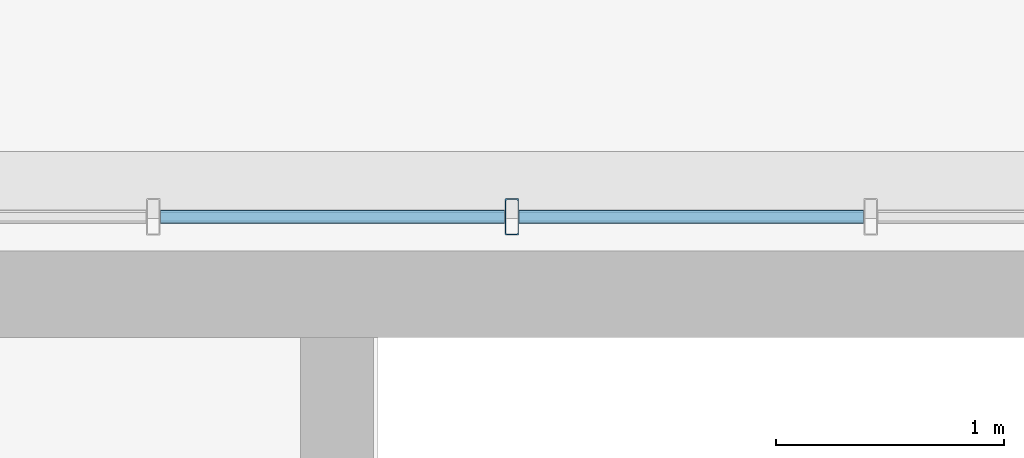
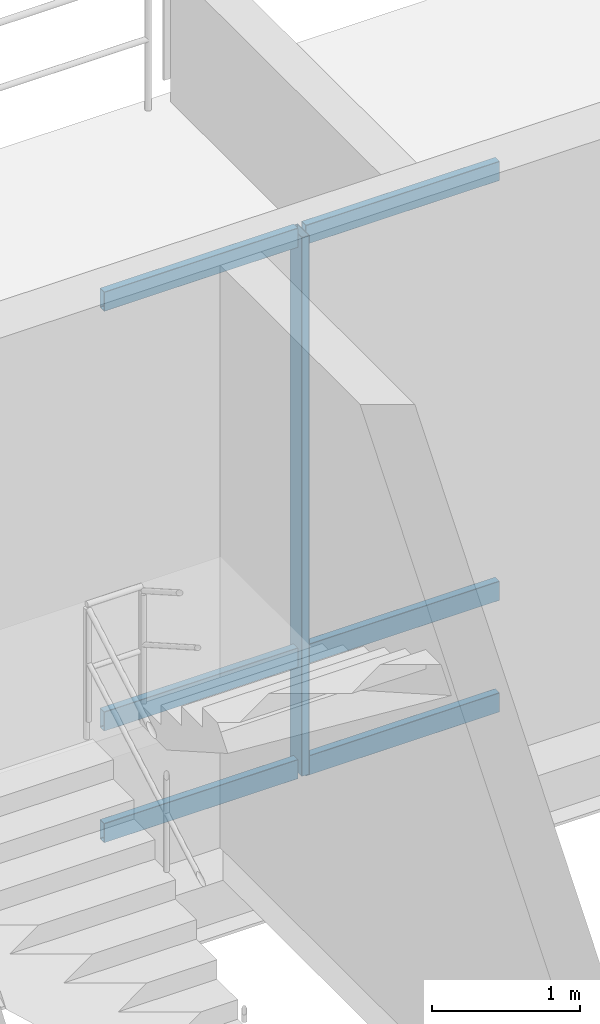
# One storey, part 35 of 81: 7 members, 1 element without a shape of its own.
"""IFC4 building model written with IfcOpenShell, lengths in metres."""

from ifc_helpers import new_model, si_unit, direction, frame, origin_with_axes, origin_2d_with_axis, place, context, subcontext, project, spatial, hollow_rectangle, extrude, material, material_profile, profile_set, type_object, element, aggregate, save


model = new_model("IFC4")

# Units and contexts
model_context = context("Model", 3, precision=1e-05, world=origin_with_axes(), true_north=direction((0.0, 1.0)))
body_context = subcontext(model_context, "Body", "Model", "MODEL_VIEW")
ifc_project = project(units=[si_unit("LENGTHUNIT", "METRE"), si_unit("AREAUNIT", "SQUARE_METRE"), si_unit("VOLUMEUNIT", "CUBIC_METRE"), si_unit("PLANEANGLEUNIT", "RADIAN"), si_unit("MASSUNIT", "GRAM", prefix="KILO"), si_unit("THERMODYNAMICTEMPERATUREUNIT", "KELVIN")], contexts=[model_context])

# Site, building, storey
site_placement = place(None, origin_with_axes())
site = spatial("IfcSite", under=ifc_project, at=site_placement, CompositionType="ELEMENT")
building_placement = place(site_placement, origin_with_axes())
building = spatial("IfcBuilding", under=site, at=building_placement, Name="Montbau Bow Law Courts", CompositionType="ELEMENT")
storey_placement = place(building_placement, frame((0.0, 0.0, 24.9), z_axis=(0.0, 0.0, 1.0), x_axis=(1.0, 0.0, 0.0)))
storey = spatial("IfcBuildingStorey", under=building, at=storey_placement, Name="L05", CompositionType="ELEMENT", Elevation=24.9)

# Curtain wall, members
ifc_material = material(Name="Thermally Broken Extruded Aluminium AA 6063-T6", Category="aluminium")
curtain_wall_type = type_object("IfcCurtainWallType", Name="CW-NCK-02", PredefinedType="NOTDEFINED", material=ifc_material)
curtain_wall_placement = place(None, frame((80.668, 54.46, 24.9), z_axis=(0.0, 0.0, 1.0), x_axis=(1.0, 0.0, 0.0)))
curtain_wall = element("IfcCurtainWall", 1, at=curtain_wall_placement, inside=storey, type_object=curtain_wall_type, Name="CW-L05-218:cw_0218", PredefinedType="NOTDEFINED")
ifc_material_profile_1 = material_profile(ifc_material, hollow_rectangle(XDim=0.06, YDim=0.16, WallThickness=0.004, InnerFilletRadius=0.008, OuterFilletRadius=0.004, at=origin_2d_with_axis()), Name="CWM-160X60", Category="Main", Priority=0)
ifc_profile_set_1 = profile_set([ifc_material_profile_1], Name="Thermally Broken Extruded Aluminium AA 6063-T6")
member_type_1 = type_object("IfcMemberType", Name="M-MUL-03", PredefinedType="MULLION", material=ifc_profile_set_1)
member_1_placement = place(None, frame((85.386, 54.46, 24.9), z_axis=(0.0, 0.0, 1.0), x_axis=(1.0, 0.0, 0.0)))
member_1 = element("IfcMember", 2, at=member_1_placement, type_object=member_type_1, Name="CW-L05-218-M04:cw_0218_M04", PredefinedType="MULLION", context=body_context, shape_type="SweptSolid", body=[
    extrude(hollow_rectangle(XDim=0.06, YDim=0.16, WallThickness=0.004, InnerFilletRadius=0.008, OuterFilletRadius=0.004, at=origin_2d_with_axis()), origin_with_axes(), (0.0, 0.0, 1.0), 4.44),
])
ifc_material_profile_2 = material_profile(ifc_material, hollow_rectangle(XDim=0.06, YDim=0.16, WallThickness=0.004, InnerFilletRadius=0.008, OuterFilletRadius=0.004, at=origin_2d_with_axis()), Name="CWT-160X60", Category="Main", Priority=0)
ifc_profile_set_2 = profile_set([ifc_material_profile_2], Name="Thermally Broken Extruded Aluminium AA 6063-T6")
member_type_2 = type_object("IfcMemberType", Name="M-TRN-01", PredefinedType="USERDEFINED", material=ifc_profile_set_2)
member_2_placement = place(None, frame((83.846, 54.46, 24.93), z_axis=(1.0, 0.0, 0.0), x_axis=(0.0, 1.0, 0.0)))
member_2 = element("IfcMember", 3, at=member_2_placement, type_object=member_type_2, Name="CW-L05-218-T03-1:cw_0218_T03_1", ObjectType="TRANSOM", PredefinedType="USERDEFINED", context=body_context, shape_type="SweptSolid", body=[
    extrude(hollow_rectangle(XDim=0.06, YDim=0.16, WallThickness=0.004, InnerFilletRadius=0.008, OuterFilletRadius=0.004, at=origin_2d_with_axis()), origin_with_axes(), (0.0, 0.0, 1.0), 1.508),
])
member_3_placement = place(None, frame((83.846, 54.46, 25.85), z_axis=(1.0, 0.0, 0.0), x_axis=(0.0, 1.0, 0.0)))
member_3 = element("IfcMember", 4, at=member_3_placement, type_object=member_type_2, Name="CW-L05-218-T03-2:cw_0218_T03_2", ObjectType="TRANSOM", PredefinedType="USERDEFINED", context=body_context, shape_type="SweptSolid", body=[
    extrude(hollow_rectangle(XDim=0.06, YDim=0.16, WallThickness=0.004, InnerFilletRadius=0.008, OuterFilletRadius=0.004, at=origin_2d_with_axis()), origin_with_axes(), (0.0, 0.0, 1.0), 1.508),
])
member_4_placement = place(None, frame((83.846, 54.46, 29.31), z_axis=(1.0, 0.0, 0.0), x_axis=(0.0, 1.0, 0.0)))
member_4 = element("IfcMember", 5, at=member_4_placement, type_object=member_type_2, Name="CW-L05-218-T03-3:cw_0218_T03_3", ObjectType="TRANSOM", PredefinedType="USERDEFINED", context=body_context, shape_type="SweptSolid", body=[
    extrude(hollow_rectangle(XDim=0.06, YDim=0.16, WallThickness=0.004, InnerFilletRadius=0.008, OuterFilletRadius=0.004, at=origin_2d_with_axis()), origin_with_axes(), (0.0, 0.0, 1.0), 1.508),
])
member_5_placement = place(None, frame((85.418, 54.46, 24.93), z_axis=(1.0, 0.0, 0.0), x_axis=(0.0, 1.0, 0.0)))
member_5 = element("IfcMember", 6, at=member_5_placement, type_object=member_type_2, Name="CW-L05-218-T04-1:cw_0218_T04_1", ObjectType="TRANSOM", PredefinedType="USERDEFINED", context=body_context, shape_type="SweptSolid", body=[
    extrude(hollow_rectangle(XDim=0.06, YDim=0.16, WallThickness=0.004, InnerFilletRadius=0.008, OuterFilletRadius=0.004, at=origin_2d_with_axis()), origin_with_axes(), (0.0, 0.0, 1.0), 1.509),
])
member_6_placement = place(None, frame((85.418, 54.46, 25.85), z_axis=(1.0, 0.0, 0.0), x_axis=(0.0, 1.0, 0.0)))
member_6 = element("IfcMember", 7, at=member_6_placement, type_object=member_type_2, Name="CW-L05-218-T04-2:cw_0218_T04_2", ObjectType="TRANSOM", PredefinedType="USERDEFINED", context=body_context, shape_type="SweptSolid", body=[
    extrude(hollow_rectangle(XDim=0.06, YDim=0.16, WallThickness=0.004, InnerFilletRadius=0.008, OuterFilletRadius=0.004, at=origin_2d_with_axis()), origin_with_axes(), (0.0, 0.0, 1.0), 1.509),
])
member_7_placement = place(None, frame((85.418, 54.46, 29.31), z_axis=(1.0, 0.0, 0.0), x_axis=(0.0, 1.0, 0.0)))
member_7 = element("IfcMember", 8, at=member_7_placement, type_object=member_type_2, Name="CW-L05-218-T04-3:cw_0218_T04_3", ObjectType="TRANSOM", PredefinedType="USERDEFINED", context=body_context, shape_type="SweptSolid", body=[
    extrude(hollow_rectangle(XDim=0.06, YDim=0.16, WallThickness=0.004, InnerFilletRadius=0.008, OuterFilletRadius=0.004, at=origin_2d_with_axis()), origin_with_axes(), (0.0, 0.0, 1.0), 1.509),
])
aggregate(curtain_wall, [member_1, member_2, member_3, member_4, member_5, member_6, member_7])

save(model, "model.ifc")
